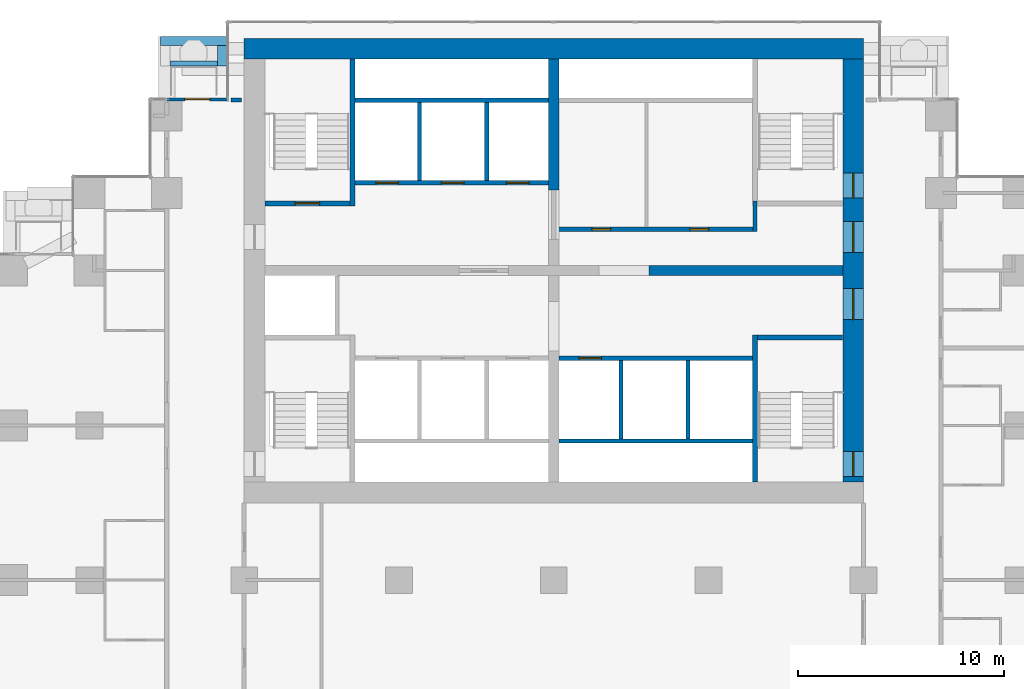
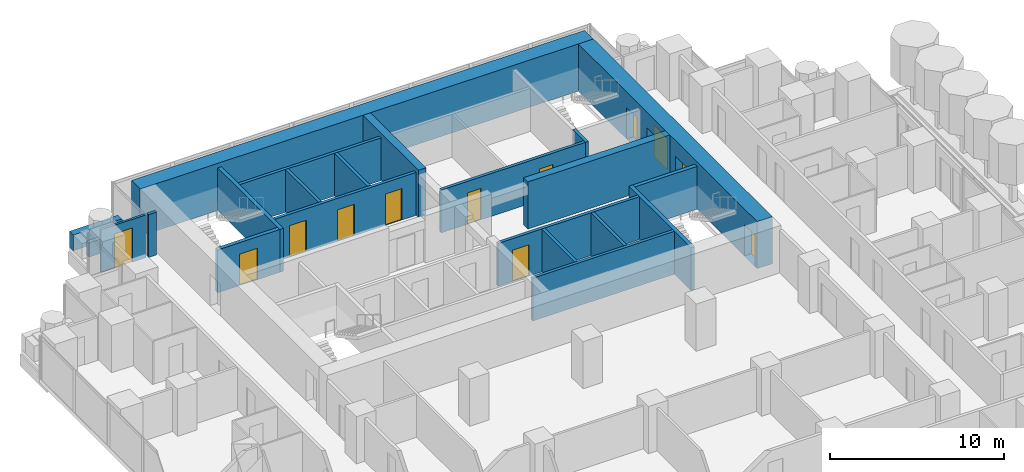
# One storey, part 14 of 19: 23 walls, 12 doors, 12 openings.
"""IFC4 building model written with IfcOpenShell, lengths in metres."""

from ifc_helpers import new_model, si_unit, direction, frame, frame_2d, origin, place, context, subcontext, project, spatial, rectangle, extrude, material, layer, layer_set, type_object, element, fill, save


model = new_model("IFC4")

# Units and contexts
model_context = context("Model", 3, precision=1e-05, world=origin(), true_north=direction((0.0, 1.0)))
body_context = subcontext(model_context, "Body", "Model", "MODEL_VIEW")
ifc_project = project(units=[si_unit("LENGTHUNIT", "METRE"), si_unit("AREAUNIT", "SQUARE_METRE"), si_unit("VOLUMEUNIT", "CUBIC_METRE"), si_unit("PLANEANGLEUNIT", "RADIAN"), si_unit("MASSUNIT", "GRAM", prefix="KILO")], contexts=[model_context])

# Site, building, storey
site_placement = place(None, origin())
site = spatial("IfcSite", under=ifc_project, at=site_placement, CompositionType="ELEMENT")
building_placement = place(site_placement, origin())
building = spatial("IfcBuilding", under=site, at=building_placement, Name="Pilkhan Gate Tower", CompositionType="ELEMENT")
storey_placement = place(building_placement, frame((0.0, 0.0, 79.10009765625)))
storey = spatial("IfcBuildingStorey", under=building, at=storey_placement, Name="L18", CompositionType="ELEMENT", Elevation=79.10009765625)

# Walls
ifc_material_1 = material(Name="Concrete C40/50", Category="concrete")
ifc_layer_1 = layer(ifc_material_1, 0.25)
ifc_layer_set_1 = layer_set([ifc_layer_1], Name="Balcony planter BP250")
wall_type_1 = type_object("IfcWallType", Name="Balcony planter BP250", PredefinedType="USERDEFINED", material=ifc_layer_set_1)
wall_1_placement = place(storey_placement, frame((56.39990234375, 92.52490234375, 0.0), z_axis=(0.0, 0.0, 1.0), x_axis=(1.0, 0.0, 0.0)))
element("IfcWall", 1, at=wall_1_placement, inside=storey, type_object=wall_type_1, Name="Balcony planter L18 N", ObjectType="BALCONY PLANTER", PredefinedType="USERDEFINED", context=body_context, shape_type="SweptSolid", body=[
    extrude(rectangle(XDim=2.300048828125, YDim=0.25, at=frame_2d((1.14990234375, 0.0))), origin(), (0.0, 0.0, 1.0), 1.0),
])
ifc_material_2 = material(Name="Board-marked Concrete C40/50", Category="concrete")
ifc_layer_2 = layer(ifc_material_2, 0.449951171875)
ifc_layer_set_2 = layer_set([ifc_layer_2], Name="Balcony planter lip BL450")
wall_type_2 = type_object("IfcWallType", Name="Balcony planter lip BL450", PredefinedType="USERDEFINED", material=ifc_layer_set_2)
wall_2_placement = place(storey_placement, frame((55.949951171875, 93.625, 0.0), z_axis=(0.0, 0.0, 1.0), x_axis=(1.0, 0.0, 0.0)))
element("IfcWall", 2, at=wall_2_placement, inside=storey, type_object=wall_type_2, Name="Balcony planter L18 N", ObjectType="BALCONY PLANTER", PredefinedType="USERDEFINED", context=body_context, shape_type="SweptSolid", body=[
    extrude(rectangle(XDim=3.199951171875, YDim=0.449951171875, at=frame_2d((1.60009765625, 0.0))), origin(), (0.0, 0.0, 1.0), 1.099853515625),
])
wall_3_placement = place(storey_placement, frame((58.925048828125, 92.39990234375, 0.0), z_axis=(0.0, 0.0, 1.0), x_axis=(0.0, 1.0, 0.0)))
element("IfcWall", 3, at=wall_3_placement, inside=storey, type_object=wall_type_2, Name="Balcony planter L18 N", ObjectType="BALCONY PLANTER", PredefinedType="USERDEFINED", context=body_context, shape_type="SweptSolid", body=[
    extrude(rectangle(XDim=1.0, YDim=0.449951171875, at=frame_2d((0.5, 0.0))), origin(), (0.0, 0.0, 1.0), 1.099853515625),
])

# Wall, openings, doors
ifc_material_3 = material(Name="Concrete C70/85", Category="concrete")
ifc_layer_3 = layer(ifc_material_3, 1.0)
ifc_layer_set_3 = layer_set([ifc_layer_3], Name="Core wall CW1000 C70/85")
wall_type_3 = type_object("IfcWallType", Name="Core wall CW1000 C70/85", PredefinedType="SHEAR", material=ifc_layer_set_3)
wall_4_placement = place(storey_placement, frame((89.5, 72.25, 0.0), z_axis=(0.0, 0.0, 1.0), x_axis=(0.0, 1.0, 0.0)))
wall_4 = element("IfcWall", 4, at=wall_4_placement, inside=storey, type_object=wall_type_3, Name="Core wall E L18", PredefinedType="SHEAR", context=body_context, shape_type="SweptSolid", body=[
    extrude(rectangle(XDim=20.5, YDim=1.0, at=frame_2d((10.25, 0.0))), origin(), (0.0, 0.0, 1.0), 3.2998046875),
])
opening_1_placement = place(wall_4_placement, frame((0.27490234375, 0.0, 0.0)))
opening_1 = element("IfcOpeningElement", 5, at=opening_1_placement, cuts=wall_4, Name="Opening L18-03", PredefinedType="OPENING", context=body_context, shape_type="SweptSolid", body=[
    extrude(rectangle(XDim=1.199951171875, YDim=2.199951171875, at=frame_2d((0.60009765625, 1.10009765625))), frame((0.0, 0.510009765625, 0.0), z_axis=(0.0, -1.0, 0.0), x_axis=(1.0, 0.0, 0.0)), (0.0, 0.0, 1.0), 1.02001953125),
])
opening_2_placement = place(wall_4_placement, frame((13.77490234375, 0.0, 0.0)))
opening_2 = element("IfcOpeningElement", 6, at=opening_2_placement, cuts=wall_4, Name="Opening L18-05", PredefinedType="OPENING", context=body_context, shape_type="SweptSolid", body=[
    extrude(rectangle(XDim=1.199951171875, YDim=2.199951171875, at=frame_2d((0.60009765625, 1.10009765625))), frame((0.0, 0.510009765625, 0.0), z_axis=(0.0, -1.0, 0.0), x_axis=(1.0, 0.0, 0.0)), (0.0, 0.0, 1.0), 1.02001953125),
])
opening_3_placement = place(wall_4_placement, frame((7.875, 0.0, 0.0)))
opening_3 = element("IfcOpeningElement", 7, at=opening_3_placement, cuts=wall_4, Name="Opening L18-38", PredefinedType="OPENING", context=body_context, shape_type="SweptSolid", body=[
    extrude(rectangle(XDim=1.5, YDim=2.199951171875, at=frame_2d((0.75, 1.10009765625))), frame((0.0, 0.510009765625, 0.0), z_axis=(0.0, -1.0, 0.0), x_axis=(1.0, 0.0, 0.0)), (0.0, 0.0, 1.0), 1.02001953125),
])
opening_4_placement = place(wall_4_placement, frame((11.125, 0.0, 0.0)))
opening_4 = element("IfcOpeningElement", 8, at=opening_4_placement, cuts=wall_4, Name="Opening L18-40", PredefinedType="OPENING", context=body_context, shape_type="SweptSolid", body=[
    extrude(rectangle(XDim=1.5, YDim=2.199951171875, at=frame_2d((0.75, 1.10009765625))), frame((0.0, 0.510009765625, 0.0), z_axis=(0.0, -1.0, 0.0), x_axis=(1.0, 0.0, 0.0)), (0.0, 0.0, 1.0), 1.02001953125),
])
ifc_material_4 = material(Name="Steel framed glazed door, 60 minute fire resisting", Category="steel")
door_type_1 = type_object("IfcDoorType", Name="Lobby door D09 1500x2200", OperationType="DOUBLE_DOOR_SINGLE_SWING", PredefinedType="DOOR", material=ifc_material_4)
door_1_placement = place(opening_3_placement, origin())
door_1 = element("IfcDoor", 9, at=door_1_placement, inside=storey, type_object=door_type_1, Name="Core door", OperationType="DOUBLE_DOOR_SINGLE_SWING", OverallHeight=2.199951171875, OverallWidth=1.5, PredefinedType="DOOR", context=body_context, shape_type="SweptSolid", body=[
    extrude(rectangle(XDim=1.5, YDim=2.199951171875, at=frame_2d((0.75, 1.10009765625))), frame((0.0, 0.02490234375, 0.0), z_axis=(0.0, -1.0, 0.0), x_axis=(1.0, 0.0, 0.0)), (0.0, 0.0, 1.0), 0.050048828125),
])
fill(opening_3, door_1)
door_2_placement = place(opening_4_placement, origin())
door_2 = element("IfcDoor", 10, at=door_2_placement, inside=storey, type_object=door_type_1, Name="Core door", OperationType="DOUBLE_DOOR_SINGLE_SWING", OverallHeight=2.199951171875, OverallWidth=1.5, PredefinedType="DOOR", context=body_context, shape_type="SweptSolid", body=[
    extrude(rectangle(XDim=1.5, YDim=2.199951171875, at=frame_2d((0.75, 1.10009765625))), frame((0.0, 0.02490234375, 0.0), z_axis=(0.0, -1.0, 0.0), x_axis=(1.0, 0.0, 0.0)), (0.0, 0.0, 1.0), 0.050048828125),
])
fill(opening_4, door_2)
ifc_material_5 = material(Name="Steel door, 120 minute fire resisting, panic bar", Category="steel")
door_type_2 = type_object("IfcDoorType", Name="Stair door D11 1200x2200", OperationType="SINGLE_SWING_LEFT", PredefinedType="DOOR", material=ifc_material_5)
door_3_placement = place(opening_1_placement, origin())
door_3 = element("IfcDoor", 11, at=door_3_placement, inside=storey, type_object=door_type_2, Name="Stair ST1 door", OperationType="SINGLE_SWING_LEFT", OverallHeight=2.199951171875, OverallWidth=1.199951171875, PredefinedType="DOOR", context=body_context, shape_type="SweptSolid", body=[
    extrude(rectangle(XDim=1.199951171875, YDim=2.199951171875, at=frame_2d((0.60009765625, 1.10009765625))), frame((0.0, 0.02490234375, 0.0), z_axis=(0.0, -1.0, 0.0), x_axis=(1.0, 0.0, 0.0)), (0.0, 0.0, 1.0), 0.050048828125),
])
fill(opening_1, door_3)
door_4_placement = place(opening_2_placement, origin())
door_4 = element("IfcDoor", 12, at=door_4_placement, inside=storey, type_object=door_type_2, Name="Stair ST4 door", OperationType="SINGLE_SWING_RIGHT", OverallHeight=2.199951171875, OverallWidth=1.199951171875, PredefinedType="DOOR", context=body_context, shape_type="SweptSolid", body=[
    extrude(rectangle(XDim=1.199951171875, YDim=2.199951171875, at=frame_2d((0.60009765625, 1.10009765625))), frame((0.0, 0.02490234375, 0.0), z_axis=(0.0, -1.0, 0.0), x_axis=(1.0, 0.0, 0.0)), (0.0, 0.0, 1.0), 0.050048828125),
])
fill(opening_2, door_4)

# Walls
wall_5_placement = place(storey_placement, frame((90.0, 93.25, 0.0), z_axis=(0.0, 0.0, 1.0), x_axis=(-1.0, 0.0, 0.0)))
element("IfcWall", 13, at=wall_5_placement, inside=storey, type_object=wall_type_3, Name="Core wall N L18", PredefinedType="SHEAR", context=body_context, shape_type="SweptSolid", body=[
    extrude(rectangle(XDim=30.0, YDim=1.0, at=frame_2d((15.0, 0.0))), origin(), (0.0, 0.0, 1.0), 3.2998046875),
])
ifc_material_6 = material(Name="Dense blockwork", Category="masonry")
ifc_layer_4 = layer(ifc_material_6, 0.199951171875)
ifc_layer_set_4 = layer_set([ifc_layer_4], Name="Corridor wall FW200")
wall_type_4 = type_object("IfcWallType", Name="Corridor wall FW200", PredefinedType="PARTITIONING", material=ifc_layer_set_4)
wall_6_placement = place(storey_placement, frame((59.35498046875, 90.764892578125, 0.0), z_axis=(0.0, 0.0, 1.0), x_axis=(1.0, 0.0, 0.0)))
element("IfcWall", 14, at=wall_6_placement, inside=storey, type_object=wall_type_4, Name="Partition L18", PredefinedType="PARTITIONING", context=body_context, shape_type="SweptSolid", body=[
    extrude(rectangle(XDim=0.52490234375, YDim=0.199951171875, at=frame_2d((0.262451171875, 0.0))), origin(), (0.0, 0.0, 1.0), 3.0),
])

# Wall, opening, door
ifc_material_7 = material(Name="Pale anodised aluminium, clear laminated glazing", Category="aluminium")
ifc_layer_5 = layer(ifc_material_7, 0.14990234375)
ifc_layer_set_5 = layer_set([ifc_layer_5], Name="Facade infill wall IW150")
wall_type_5 = type_object("IfcWallType", Name="Facade infill wall IW150", PredefinedType="SOLIDWALL", material=ifc_layer_set_5)
wall_7_placement = place(storey_placement, frame((56.25, 90.794921875, 0.0), z_axis=(0.0, 0.0, 1.0), x_axis=(1.0, 0.0, 0.0)))
wall_7 = element("IfcWall", 15, at=wall_7_placement, inside=storey, type_object=wall_type_5, Name="Infill wall L18 N", PredefinedType="SOLIDWALL", context=body_context, shape_type="SweptSolid", body=[
    extrude(rectangle(XDim=2.955078125, YDim=0.14990234375, at=frame_2d((1.4775390625, 0.0))), origin(), (0.0, 0.0, 1.0), 3.0),
])
opening_5_placement = place(wall_7_placement, frame((0.87744140625, 0.0, 0.0)))
opening_5 = element("IfcOpeningElement", 16, at=opening_5_placement, cuts=wall_7, Name="Opening D1", PredefinedType="OPENING", context=body_context, shape_type="SweptSolid", body=[
    extrude(rectangle(XDim=1.199951171875, YDim=2.39990234375, at=frame_2d((0.60009765625, 1.199951171875))), frame((0.0, 0.0849609375, 0.0), z_axis=(0.0, -1.0, 0.0), x_axis=(1.0, 0.0, 0.0)), (0.0, 0.0, 1.0), 0.169921875),
])
ifc_material_8 = material(Name="Pale anodised aluminium, clear glazing", Category="aluminium")
door_type_3 = type_object("IfcDoorType", Name="Balcony door D1 1200x2400", OperationType="SINGLE_SWING_LEFT", PredefinedType="DOOR", material=ifc_material_8)
door_5_placement = place(opening_5_placement, origin())
door_5 = element("IfcDoor", 17, at=door_5_placement, inside=storey, type_object=door_type_3, Name="Balcony door L18", OperationType="SINGLE_SWING_LEFT", OverallHeight=2.39990234375, OverallWidth=1.199951171875, PredefinedType="DOOR", context=body_context, shape_type="SweptSolid", body=[
    extrude(rectangle(XDim=1.199951171875, YDim=2.39990234375, at=frame_2d((0.60009765625, 1.199951171875))), frame((0.0, 0.02490234375, 0.0), z_axis=(0.0, -1.0, 0.0), x_axis=(1.0, 0.0, 0.0)), (0.0, 0.0, 1.0), 0.050048828125),
])
fill(opening_5, door_5)

# Wall, openings, doors
ifc_layer_6 = layer(ifc_material_6, 0.199951171875)
ifc_layer_set_6 = layer_set([ifc_layer_6], Name="Lobby wall LW200")
wall_type_6 = type_object("IfcWallType", Name="Lobby wall LW200", PredefinedType="PARTITIONING", material=ifc_layer_set_6)
wall_8_placement = place(storey_placement, frame((75.10009765625, 84.5, 0.0), z_axis=(0.0, 0.0, 1.0), x_axis=(1.0, 0.0, 0.0)))
wall_8 = element("IfcWall", 18, at=wall_8_placement, inside=storey, type_object=wall_type_6, Name="Partition L18", PredefinedType="PARTITIONING", context=body_context, shape_type="SweptSolid", body=[
    extrude(rectangle(XDim=9.5498046875, YDim=0.199951171875, at=frame_2d((4.77490234375, 0.0))), origin(), (0.0, 0.0, 1.0), 3.0),
])
opening_6_placement = place(wall_8_placement, frame((1.75, 0.0, 0.0)))
opening_6 = element("IfcOpeningElement", 19, at=opening_6_placement, cuts=wall_8, Name="Opening L18-41", PredefinedType="OPENING", context=body_context, shape_type="SweptSolid", body=[
    extrude(rectangle(XDim=0.89990234375, YDim=2.199951171875, at=frame_2d((0.449951171875, 1.10009765625))), frame((0.0, 0.10986328125, 0.0), z_axis=(0.0, -1.0, 0.0), x_axis=(1.0, 0.0, 0.0)), (0.0, 0.0, 1.0), 0.219970703125),
])
opening_7_placement = place(wall_8_placement, frame((6.5, 0.0, 0.0)))
opening_7 = element("IfcOpeningElement", 20, at=opening_7_placement, cuts=wall_8, Name="Opening L18-42", PredefinedType="OPENING", context=body_context, shape_type="SweptSolid", body=[
    extrude(rectangle(XDim=0.89990234375, YDim=2.199951171875, at=frame_2d((0.449951171875, 1.10009765625))), frame((0.0, 0.10986328125, 0.0), z_axis=(0.0, -1.0, 0.0), x_axis=(1.0, 0.0, 0.0)), (0.0, 0.0, 1.0), 0.219970703125),
])
ifc_material_9 = material(Name="Timber flush door, 60 minute fire resisting, self-closing", Category="wood")
door_type_4 = type_object("IfcDoorType", Name="Store door D05 900x2200", OperationType="SINGLE_SWING_LEFT", PredefinedType="DOOR", material=ifc_material_9)
door_6_placement = place(opening_6_placement, origin())
door_6 = element("IfcDoor", 21, at=door_6_placement, inside=storey, type_object=door_type_4, Name="Store door", OperationType="SINGLE_SWING_LEFT", OverallHeight=2.199951171875, OverallWidth=0.89990234375, PredefinedType="DOOR", context=body_context, shape_type="SweptSolid", body=[
    extrude(rectangle(XDim=0.89990234375, YDim=2.199951171875, at=frame_2d((0.449951171875, 1.10009765625))), frame((0.0, 0.02490234375, 0.0), z_axis=(0.0, -1.0, 0.0), x_axis=(1.0, 0.0, 0.0)), (0.0, 0.0, 1.0), 0.050048828125),
])
fill(opening_6, door_6)
door_7_placement = place(opening_7_placement, origin())
door_7 = element("IfcDoor", 22, at=door_7_placement, inside=storey, type_object=door_type_4, Name="Store door", OperationType="SINGLE_SWING_RIGHT", OverallHeight=2.199951171875, OverallWidth=0.89990234375, PredefinedType="DOOR", context=body_context, shape_type="SweptSolid", body=[
    extrude(rectangle(XDim=0.89990234375, YDim=2.199951171875, at=frame_2d((0.449951171875, 1.10009765625))), frame((0.0, 0.02490234375, 0.0), z_axis=(0.0, -1.0, 0.0), x_axis=(1.0, 0.0, 0.0)), (0.0, 0.0, 1.0), 0.050048828125),
])
fill(opening_7, door_7)

# Walls
wall_9_placement = place(storey_placement, frame((84.75, 84.39990234375, 0.0), z_axis=(0.0, 0.0, 1.0), x_axis=(0.0, 1.0, 0.0)))
element("IfcWall", 23, at=wall_9_placement, inside=storey, type_object=wall_type_6, Name="Partition L18", PredefinedType="PARTITIONING", context=body_context, shape_type="SweptSolid", body=[
    extrude(rectangle(XDim=1.47509765625, YDim=0.199951171875, at=frame_2d((0.737548828125, 0.0))), origin(), (0.0, 0.0, 1.0), 3.0),
])
ifc_material_10 = material(Name="Reinforced blockwork shaft wall, 120 minute fire resisting", Category="masonry")
ifc_layer_7 = layer(ifc_material_10, 0.199951171875)
ifc_layer_set_7 = layer_set([ifc_layer_7], Name="Shaft wall SW200")
wall_type_7 = type_object("IfcWallType", Name="Shaft wall SW200", PredefinedType="PARTITIONING", material=ifc_layer_set_7)
wall_10_placement = place(storey_placement, frame((75.260009765625, 74.25, 0.0), z_axis=(0.0, 0.0, 1.0), x_axis=(1.0, 0.0, 0.0)))
element("IfcWall", 24, at=wall_10_placement, inside=storey, type_object=wall_type_7, Name="Partition L18", PredefinedType="PARTITIONING", context=body_context, shape_type="SweptSolid", body=[
    extrude(rectangle(XDim=9.364990234375, YDim=0.199951171875, at=frame_2d((4.6826171875, 0.0))), origin(), (0.0, 0.0, 1.0), 3.0),
])

# Wall, opening, door
wall_11_placement = place(storey_placement, frame((75.260009765625, 78.25, 0.0), z_axis=(0.0, 0.0, 1.0), x_axis=(1.0, 0.0, 0.0)))
wall_11 = element("IfcWall", 25, at=wall_11_placement, inside=storey, type_object=wall_type_7, Name="Partition L18", PredefinedType="PARTITIONING", context=body_context, shape_type="SweptSolid", body=[
    extrude(rectangle(XDim=9.364990234375, YDim=0.199951171875, at=frame_2d((4.6826171875, 0.0))), origin(), (0.0, 0.0, 1.0), 3.0),
])
opening_8_placement = place(wall_11_placement, frame((0.949951171875, 0.0, 0.0)))
opening_8 = element("IfcOpeningElement", 26, at=opening_8_placement, cuts=wall_11, Name="Opening LD", PredefinedType="OPENING", context=body_context, shape_type="SweptSolid", body=[
    extrude(rectangle(XDim=1.10009765625, YDim=2.199951171875, at=frame_2d((0.550048828125, 1.10009765625))), frame((0.0, 0.10986328125, 0.0), z_axis=(0.0, -1.0, 0.0), x_axis=(1.0, 0.0, 0.0)), (0.0, 0.0, 1.0), 0.219970703125),
])
ifc_material_11 = material(Name="Stainless steel centre-opening landing door, 120 minute fire resisting", Category="steel")
door_type_5 = type_object("IfcDoorType", Name="Lift landing door LD 1100x2200", OperationType="DOUBLE_DOOR_SLIDING", PredefinedType="DOOR", material=ifc_material_11)
door_8_placement = place(opening_8_placement, origin())
door_8 = element("IfcDoor", 27, at=door_8_placement, inside=storey, type_object=door_type_5, Name="Landing door LR4", OperationType="DOUBLE_DOOR_SLIDING", OverallHeight=2.199951171875, OverallWidth=1.10009765625, PredefinedType="DOOR", context=body_context, shape_type="SweptSolid", body=[
    extrude(rectangle(XDim=1.10009765625, YDim=2.199951171875, at=frame_2d((0.550048828125, 1.10009765625))), frame((0.0, 0.02490234375, 0.0), z_axis=(0.0, -1.0, 0.0), x_axis=(1.0, 0.0, 0.0)), (0.0, 0.0, 1.0), 0.050048828125),
])
fill(opening_8, door_8)

# Wall, openings, doors
wall_12_placement = place(storey_placement, frame((65.375, 86.75, 0.0), z_axis=(0.0, 0.0, 1.0), x_axis=(1.0, 0.0, 0.0)))
wall_12 = element("IfcWall", 28, at=wall_12_placement, inside=storey, type_object=wall_type_7, Name="Partition L18", PredefinedType="PARTITIONING", context=body_context, shape_type="SweptSolid", body=[
    extrude(rectangle(XDim=9.364990234375, YDim=0.199951171875, at=frame_2d((4.6826171875, 0.0))), origin(), (0.0, 0.0, 1.0), 3.0),
])
opening_9_placement = place(wall_12_placement, frame((1.0, 0.0, 0.0)))
opening_9 = element("IfcOpeningElement", 29, at=opening_9_placement, cuts=wall_12, Name="Opening LD", PredefinedType="OPENING", context=body_context, shape_type="SweptSolid", body=[
    extrude(rectangle(XDim=1.10009765625, YDim=2.199951171875, at=frame_2d((0.550048828125, 1.10009765625))), frame((0.0, 0.10986328125, 0.0), z_axis=(0.0, -1.0, 0.0), x_axis=(1.0, 0.0, 0.0)), (0.0, 0.0, 1.0), 0.219970703125),
])
opening_10_placement = place(wall_12_placement, frame((4.175048828125, 0.0, 0.0)))
opening_10 = element("IfcOpeningElement", 30, at=opening_10_placement, cuts=wall_12, Name="Opening LD", PredefinedType="OPENING", context=body_context, shape_type="SweptSolid", body=[
    extrude(rectangle(XDim=1.10009765625, YDim=2.199951171875, at=frame_2d((0.550048828125, 1.10009765625))), frame((0.0, 0.10986328125, 0.0), z_axis=(0.0, -1.0, 0.0), x_axis=(1.0, 0.0, 0.0)), (0.0, 0.0, 1.0), 0.219970703125),
])
opening_11_placement = place(wall_12_placement, frame((7.324951171875, 0.0, 0.0)))
opening_11 = element("IfcOpeningElement", 31, at=opening_11_placement, cuts=wall_12, Name="Opening LD", PredefinedType="OPENING", context=body_context, shape_type="SweptSolid", body=[
    extrude(rectangle(XDim=1.10009765625, YDim=2.199951171875, at=frame_2d((0.550048828125, 1.10009765625))), frame((0.0, 0.10986328125, 0.0), z_axis=(0.0, -1.0, 0.0), x_axis=(1.0, 0.0, 0.0)), (0.0, 0.0, 1.0), 0.219970703125),
])
door_9_placement = place(opening_9_placement, origin())
door_9 = element("IfcDoor", 32, at=door_9_placement, inside=storey, type_object=door_type_5, Name="Landing door FF1", OperationType="DOUBLE_DOOR_SLIDING", OverallHeight=2.199951171875, OverallWidth=1.10009765625, PredefinedType="DOOR", context=body_context, shape_type="SweptSolid", body=[
    extrude(rectangle(XDim=1.10009765625, YDim=2.199951171875, at=frame_2d((0.550048828125, 1.10009765625))), frame((0.0, 0.02490234375, 0.0), z_axis=(0.0, -1.0, 0.0), x_axis=(1.0, 0.0, 0.0)), (0.0, 0.0, 1.0), 0.050048828125),
])
fill(opening_9, door_9)
door_10_placement = place(opening_10_placement, origin())
door_10 = element("IfcDoor", 33, at=door_10_placement, inside=storey, type_object=door_type_5, Name="Landing door FF2", OperationType="DOUBLE_DOOR_SLIDING", OverallHeight=2.199951171875, OverallWidth=1.10009765625, PredefinedType="DOOR", context=body_context, shape_type="SweptSolid", body=[
    extrude(rectangle(XDim=1.10009765625, YDim=2.199951171875, at=frame_2d((0.550048828125, 1.10009765625))), frame((0.0, 0.02490234375, 0.0), z_axis=(0.0, -1.0, 0.0), x_axis=(1.0, 0.0, 0.0)), (0.0, 0.0, 1.0), 0.050048828125),
])
fill(opening_10, door_10)
door_11_placement = place(opening_11_placement, origin())
door_11 = element("IfcDoor", 34, at=door_11_placement, inside=storey, type_object=door_type_5, Name="Landing door SV1", OperationType="DOUBLE_DOOR_SLIDING", OverallHeight=2.199951171875, OverallWidth=1.10009765625, PredefinedType="DOOR", context=body_context, shape_type="SweptSolid", body=[
    extrude(rectangle(XDim=1.10009765625, YDim=2.199951171875, at=frame_2d((0.550048828125, 1.10009765625))), frame((0.0, 0.02490234375, 0.0), z_axis=(0.0, -1.0, 0.0), x_axis=(1.0, 0.0, 0.0)), (0.0, 0.0, 1.0), 0.050048828125),
])
fill(opening_11, door_11)

# Walls
wall_13_placement = place(storey_placement, frame((65.375, 90.75, 0.0), z_axis=(0.0, 0.0, 1.0), x_axis=(1.0, 0.0, 0.0)))
element("IfcWall", 35, at=wall_13_placement, inside=storey, type_object=wall_type_7, Name="Partition L18", PredefinedType="PARTITIONING", context=body_context, shape_type="SweptSolid", body=[
    extrude(rectangle(XDim=9.364990234375, YDim=0.199951171875, at=frame_2d((4.6826171875, 0.0))), origin(), (0.0, 0.0, 1.0), 3.0),
])
for number, where, z_axis, x_axis, name in (
    (36, (68.5, 86.85009765625, 0.0), (0.0, 0.0, 1.0), (0.0, 1.0, 0.0), "Partition L18"),
    (37, (71.75, 86.85009765625, 0.0), (0.0, 0.0, 1.0), (0.0, 1.0, 0.0), "Partition L18"),
    (38, (78.25, 74.35009765625, 0.0), (0.0, 0.0, 1.0), (0.0, 1.0, 0.0), "Partition L18"),
    (39, (81.5, 74.35009765625, 0.0), (0.0, 0.0, 1.0), (0.0, 1.0, 0.0), "Partition L18"),
):
    element("IfcWall", number, at=place(storey_placement, frame(where, z_axis=z_axis, x_axis=x_axis)), inside=storey, type_object=wall_type_7, Name=name, PredefinedType="PARTITIONING", context=body_context, shape_type="SweptSolid", body=[
        extrude(rectangle(XDim=3.7998046875, YDim=0.199951171875, at=frame_2d((1.89990234375, 0.0))), origin(), (0.0, 0.0, 1.0), 3.0),
    ])
ifc_layer_8 = layer(ifc_material_3, 0.5)
ifc_layer_set_8 = layer_set([ifc_layer_8], Name="Spine wall SW500 C70/85")
wall_type_8 = type_object("IfcWallType", Name="Spine wall SW500 C70/85", PredefinedType="SHEAR", material=ifc_layer_set_8)
wall_14_placement = place(storey_placement, frame((79.60009765625, 82.5, 0.0), z_axis=(0.0, 0.0, 1.0), x_axis=(1.0, 0.0, 0.0)))
element("IfcWall", 40, at=wall_14_placement, inside=storey, type_object=wall_type_8, Name="Spine wall SP-EW3 L18", PredefinedType="SHEAR", context=body_context, shape_type="SweptSolid", body=[
    extrude(rectangle(XDim=9.39990234375, YDim=0.5, at=frame_2d((4.699951171875, 0.0))), origin(), (0.0, 0.0, 1.0), 3.2998046875),
])
wall_15_placement = place(storey_placement, frame((75.0, 86.39990234375, 0.0), z_axis=(0.0, 0.0, 1.0), x_axis=(0.0, 1.0, 0.0)))
element("IfcWall", 41, at=wall_15_placement, inside=storey, type_object=wall_type_8, Name="Spine wall SP-NS-N2 L18", PredefinedType="SHEAR", context=body_context, shape_type="SweptSolid", body=[
    extrude(rectangle(XDim=6.35009765625, YDim=0.5, at=frame_2d((3.175048828125, 0.0))), origin(), (0.0, 0.0, 1.0), 3.2998046875),
])
ifc_material_12 = material(Name="Reinforced blockwork, 120 minute fire resisting", Category="masonry")
ifc_layer_9 = layer(ifc_material_12, 0.25)
ifc_layer_set_9 = layer_set([ifc_layer_9], Name="Stair enclosure wall SE250")
wall_type_9 = type_object("IfcWallType", Name="Stair enclosure wall SE250", PredefinedType="PARTITIONING", material=ifc_layer_set_9)
wall_16_placement = place(storey_placement, frame((84.875, 79.25, 0.0), z_axis=(0.0, 0.0, 1.0), x_axis=(1.0, 0.0, 0.0)))
element("IfcWall", 42, at=wall_16_placement, inside=storey, type_object=wall_type_9, Name="Partition L18", PredefinedType="PARTITIONING", context=body_context, shape_type="SweptSolid", body=[
    extrude(rectangle(XDim=4.114990234375, YDim=0.25, at=frame_2d((2.0576171875, 0.0))), origin(), (0.0, 0.0, 1.0), 3.0),
])

# Wall, opening, door
wall_17_placement = place(storey_placement, frame((61.010009765625, 85.75, 0.0), z_axis=(0.0, 0.0, 1.0), x_axis=(1.0, 0.0, 0.0)))
wall_17 = element("IfcWall", 43, at=wall_17_placement, inside=storey, type_object=wall_type_9, Name="Partition L18", PredefinedType="PARTITIONING", context=body_context, shape_type="SweptSolid", body=[
    extrude(rectangle(XDim=4.114990234375, YDim=0.25, at=frame_2d((2.0576171875, 0.0))), origin(), (0.0, 0.0, 1.0), 3.0),
])
opening_12_placement = place(wall_17_placement, frame((1.449951171875, 0.0, 0.0)))
opening_12 = element("IfcOpeningElement", 44, at=opening_12_placement, cuts=wall_17, Name="Opening L18-02", PredefinedType="OPENING", context=body_context, shape_type="SweptSolid", body=[
    extrude(rectangle(XDim=1.199951171875, YDim=2.199951171875, at=frame_2d((0.60009765625, 1.10009765625))), frame((0.0, 0.135009765625, 0.0), z_axis=(0.0, -1.0, 0.0), x_axis=(1.0, 0.0, 0.0)), (0.0, 0.0, 1.0), 0.27001953125),
])
door_12_placement = place(opening_12_placement, origin())
door_12 = element("IfcDoor", 45, at=door_12_placement, inside=storey, type_object=door_type_2, Name="Stair ST3 lobby door", OperationType="SINGLE_SWING_LEFT", OverallHeight=2.199951171875, OverallWidth=1.199951171875, PredefinedType="DOOR", context=body_context, shape_type="SweptSolid", body=[
    extrude(rectangle(XDim=1.199951171875, YDim=2.199951171875, at=frame_2d((0.60009765625, 1.10009765625))), frame((0.0, 0.02490234375, 0.0), z_axis=(0.0, -1.0, 0.0), x_axis=(1.0, 0.0, 0.0)), (0.0, 0.0, 1.0), 0.050048828125),
])
fill(opening_12, door_12)

# Walls
for number, where, z_axis, x_axis, name in (
    (46, (65.25, 85.625, 0.0), (0.0, 0.0, 1.0), (0.0, 1.0, 0.0), "Partition L18"),
    (47, (84.75, 72.260009765625, 0.0), (0.0, 0.0, 1.0), (0.0, 1.0, 0.0), "Partition L18"),
):
    element("IfcWall", number, at=place(storey_placement, frame(where, z_axis=z_axis, x_axis=x_axis)), inside=storey, type_object=wall_type_9, Name=name, PredefinedType="PARTITIONING", context=body_context, shape_type="SweptSolid", body=[
        extrude(rectangle(XDim=7.114990234375, YDim=0.25, at=frame_2d((3.5576171875, 0.0))), origin(), (0.0, 0.0, 1.0), 3.0),
    ])

save(model, "model.ifc")
